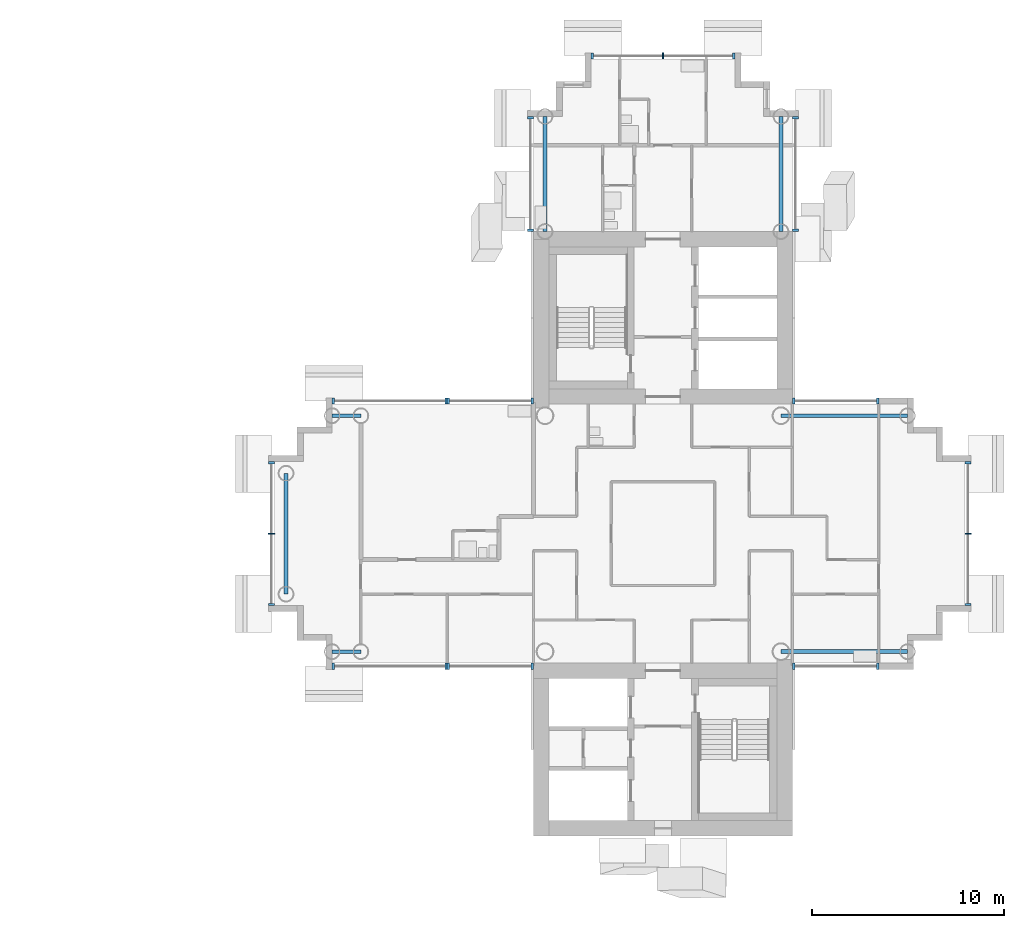
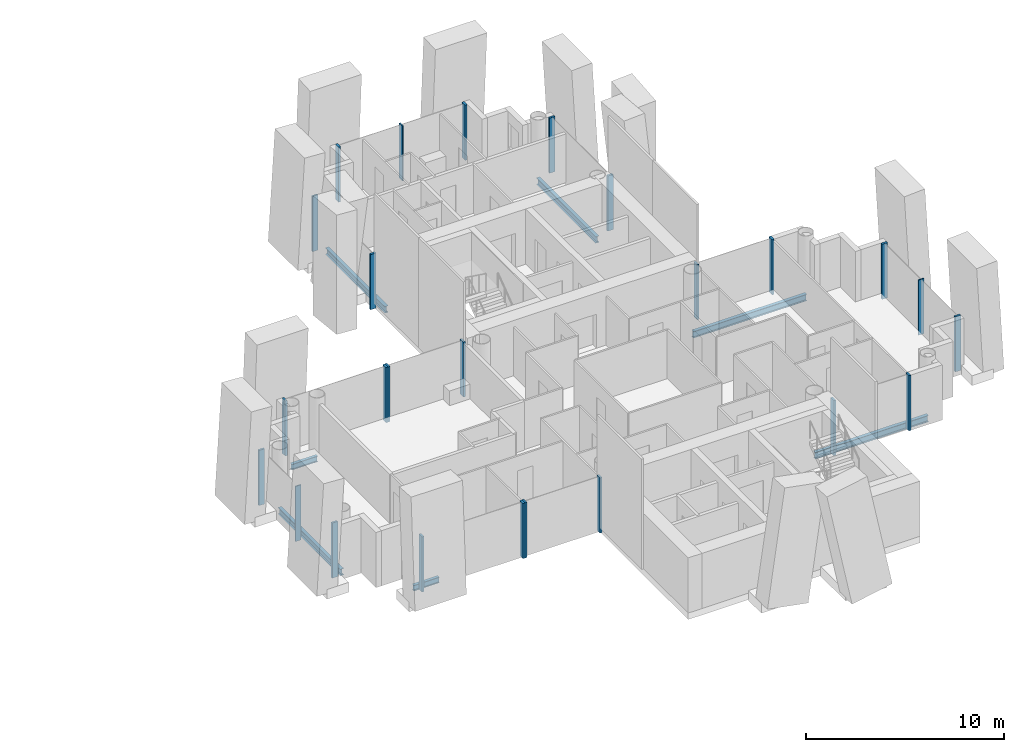
# One storey, part 4 of 18: 25 members, 7 beams, 11 elements without a shape of their own.
"""IFC4 building model written with IfcOpenShell, lengths in metres."""

from ifc_helpers import new_model, si_unit, direction, frame, origin, origin_2d, place, context, subcontext, project, spatial, rectangle, i_section, extrude, material, layer, layer_set, material_profile, profile_set, type_object, element, aggregate, save


model = new_model("IFC4")

# Units and contexts
model_context = context("Model", 3, precision=1e-05, world=origin(), true_north=direction((0.0, 1.0)))
body_context = subcontext(model_context, "Body", "Model", "MODEL_VIEW")
ifc_project = project(units=[si_unit("LENGTHUNIT", "METRE"), si_unit("AREAUNIT", "SQUARE_METRE"), si_unit("VOLUMEUNIT", "CUBIC_METRE"), si_unit("PLANEANGLEUNIT", "RADIAN"), si_unit("MASSUNIT", "GRAM", prefix="KILO")], contexts=[model_context])

# Site, building, storey
site_placement = place(None, origin())
site = spatial("IfcSite", under=ifc_project, at=site_placement, CompositionType="ELEMENT")
building_placement = place(site_placement, origin())
building = spatial("IfcBuilding", under=site, at=building_placement, Name="Ipe Terrace Towers", CompositionType="ELEMENT")
storey_placement = place(building_placement, frame((0.0, 0.0, 143.89990234375)))
storey = spatial("IfcBuildingStorey", under=building, at=storey_placement, Name="L39", CompositionType="ELEMENT", Elevation=143.89990234375)

# Beams
ifc_material_1 = material(Name="Steel S355", Category="steel")
ifc_material_profile_1 = material_profile(ifc_material_1, i_section(OverallWidth=0.175048828125, OverallDepth=0.35009765625, WebThickness=0.007080078125, FlangeThickness=0.010986328125, at=origin_2d()), Name="H-350x175x7x11")
ifc_profile_set_1 = profile_set([ifc_material_profile_1], Name="Steel S355")
beam_type_1 = type_object("IfcBeamType", Name="H04 EDGE BEAM H-350x175x7x11", PredefinedType="BEAM", material=ifc_profile_set_1)
for number, where, z_axis, x_axis, name in (
    (1, (20.25, 6.14990234375, -0.574951171875), (-1.0, 0.0, 0.0), (0.0, -1.0, 0.0), "Edge beam T2-EB-B03-B05"),
    (2, (20.25, -6.14990234375, -0.574951171875), (-1.0, 0.0, 0.0), (0.0, -1.0, 0.0), "Edge beam T2-EB-B04-B06"),
):
    element("IfcBeam", number, at=place(storey_placement, frame(where, z_axis=z_axis, x_axis=x_axis)), inside=storey, type_object=beam_type_1, Name=name, PredefinedType="BEAM", context=body_context, shape_type="SweptSolid", body=[
        extrude(i_section(OverallWidth=0.175048828125, OverallDepth=0.35009765625, WebThickness=0.007080078125, FlangeThickness=0.010986328125, at=origin_2d()), origin(), (0.0, 0.0, 1.0), 1.5),
    ])
ifc_material_2 = material(Name="Steel S355", Category="steel")
ifc_material_profile_2 = material_profile(ifc_material_2, i_section(OverallWidth=0.199951171875, OverallDepth=0.39990234375, WebThickness=0.008056640625, FlangeThickness=0.012939453125, at=origin_2d()), Name="H-400x200x8x13")
ifc_profile_set_2 = profile_set([ifc_material_profile_2], Name="Steel S355")
beam_type_2 = type_object("IfcBeamType", Name="H06 EDGE BEAM H-400x200x8x13", PredefinedType="BEAM", material=ifc_profile_set_2)
for number, where, z_axis, x_axis, name in (
    (3, (42.14990234375, 15.75, -0.599853515625), (0.0, 1.0, 0.0), (-1.0, 0.0, 0.0), "Edge beam T2-EB-A01-A03"),
    (4, (29.85009765625, 15.75, -0.599853515625), (0.0, 1.0, 0.0), (-1.0, 0.0, 0.0), "Edge beam T2-EB-A02-A04"),
):
    element("IfcBeam", number, at=place(storey_placement, frame(where, z_axis=z_axis, x_axis=x_axis)), inside=storey, type_object=beam_type_2, Name=name, PredefinedType="BEAM", context=body_context, shape_type="SweptSolid", body=[
        extrude(i_section(OverallWidth=0.199951171875, OverallDepth=0.39990234375, WebThickness=0.008056640625, FlangeThickness=0.012939453125, at=origin_2d()), origin(), (0.0, 0.0, 1.0), 6.0),
    ])
beam_placement = place(storey_placement, frame((16.35009765625, 3.14990234375, -0.599853515625), z_axis=(0.0, -1.0, 0.0), x_axis=(1.0, 0.0, 0.0)))
element("IfcBeam", 5, at=beam_placement, inside=storey, type_object=beam_type_2, Name="Edge beam T2-EB-B07-B08", PredefinedType="BEAM", context=body_context, shape_type="SweptSolid", body=[
    extrude(i_section(OverallWidth=0.199951171875, OverallDepth=0.39990234375, WebThickness=0.008056640625, FlangeThickness=0.012939453125, at=origin_2d()), origin(), (0.0, 0.0, 1.0), 6.2998046875),
])
for number, where, z_axis, x_axis, name in (
    (6, (48.75, -6.14990234375, -0.599853515625), (-1.0, 0.0, 0.0), (0.0, -1.0, 0.0), "Edge beam T2-EB-D01-E01"),
    (7, (48.75, 6.14990234375, -0.599853515625), (-1.0, 0.0, 0.0), (0.0, -1.0, 0.0), "Edge beam T2-EB-D02-E02"),
):
    element("IfcBeam", number, at=place(storey_placement, frame(where, z_axis=z_axis, x_axis=x_axis)), inside=storey, type_object=beam_type_2, Name=name, PredefinedType="BEAM", context=body_context, shape_type="SweptSolid", body=[
        extrude(i_section(OverallWidth=0.199951171875, OverallDepth=0.39990234375, WebThickness=0.008056640625, FlangeThickness=0.012939453125, at=origin_2d()), origin(), (0.0, 0.0, 1.0), 6.60009765625),
    ])

# Curtain wall, members
ifc_material_3 = material(Name="Aluminium alloy 6063-T6", Category="aluminium")
ifc_layer = layer(ifc_material_3, 0.320068359375)
ifc_layer_set = layer_set([ifc_layer], Name="TOWER UNITISED CURTAIN WALL")
curtain_wall_type = type_object("IfcCurtainWallType", Name="TOWER UNITISED CURTAIN WALL", PredefinedType="NOTDEFINED", material=ifc_layer_set)
curtain_wall_1_placement = place(storey_placement, origin())
curtain_wall_1 = element("IfcCurtainWall", 8, at=curtain_wall_1_placement, inside=storey, type_object=curtain_wall_type, Name="T2-CW-L39-02a curtain wall", PredefinedType="NOTDEFINED")
ifc_material_4 = material(Name="Aluminium alloy 6063-T6", Category="aluminium")
ifc_material_profile_3 = material_profile(ifc_material_4, rectangle(XDim=0.320068359375, YDim=0.1201171875, at=origin_2d()), Name="TOWER UNITISED CORNER MULLION 320 x 120")
ifc_profile_set_3 = profile_set([ifc_material_profile_3], Name="Aluminium alloy 6063-T6")
member_type_1 = type_object("IfcMemberType", Name="TOWER UNITISED CORNER MULLION 320 x 120", PredefinedType="MULLION", material=ifc_profile_set_3)
member_1_placement = place(storey_placement, frame((42.81005859375, -6.909912109375, -0.2998046875), z_axis=(0.0, 0.0, 1.0), x_axis=(0.0, -1.0, 0.0)))
member_1 = element("IfcMember", 9, at=member_1_placement, type_object=member_type_1, Name="T2-CW-L39-02a mullion 1", PredefinedType="MULLION", context=body_context, shape_type="SweptSolid", body=[
    extrude(rectangle(XDim=0.320068359375, YDim=0.1201171875, at=origin_2d()), origin(), (0.0, 0.0, 1.0), 3.39990234375),
])
member_2_placement = place(storey_placement, frame((47.18994140625, -6.909912109375, -0.2998046875), z_axis=(0.0, 0.0, 1.0), x_axis=(0.0, -1.0, 0.0)))
member_2 = element("IfcMember", 10, at=member_2_placement, type_object=member_type_1, Name="T2-CW-L39-02a mullion 2", PredefinedType="MULLION", context=body_context, shape_type="SweptSolid", body=[
    extrude(rectangle(XDim=0.320068359375, YDim=0.1201171875, at=origin_2d()), origin(), (0.0, 0.0, 1.0), 3.39990234375),
])
aggregate(curtain_wall_1, [member_1, member_2])

curtain_wall_2_placement = place(storey_placement, origin())
curtain_wall_2 = element("IfcCurtainWall", 11, at=curtain_wall_2_placement, inside=storey, type_object=curtain_wall_type, Name="T2-CW-L39-08a curtain wall", PredefinedType="NOTDEFINED")
member_3_placement = place(storey_placement, frame((51.909912109375, -3.68994140625, -0.2998046875), z_axis=(0.0, 0.0, 1.0), x_axis=(1.0, 0.0, 0.0)))
member_3 = element("IfcMember", 12, at=member_3_placement, type_object=member_type_1, Name="T2-CW-L39-08a mullion 1", PredefinedType="MULLION", context=body_context, shape_type="SweptSolid", body=[
    extrude(rectangle(XDim=0.320068359375, YDim=0.1201171875, at=origin_2d()), origin(), (0.0, 0.0, 1.0), 3.39990234375),
])
member_4_placement = place(storey_placement, frame((51.909912109375, 3.68994140625, -0.2998046875), z_axis=(0.0, 0.0, 1.0), x_axis=(1.0, 0.0, 0.0)))
member_4 = element("IfcMember", 13, at=member_4_placement, type_object=member_type_1, Name="T2-CW-L39-08a mullion 3", PredefinedType="MULLION", context=body_context, shape_type="SweptSolid", body=[
    extrude(rectangle(XDim=0.320068359375, YDim=0.1201171875, at=origin_2d()), origin(), (0.0, 0.0, 1.0), 3.39990234375),
])

curtain_wall_3_placement = place(storey_placement, origin())
curtain_wall_3 = element("IfcCurtainWall", 14, at=curtain_wall_3_placement, inside=storey, type_object=curtain_wall_type, Name="T2-CW-L39-14a curtain wall", PredefinedType="NOTDEFINED")
member_5_placement = place(storey_placement, frame((47.18994140625, 6.909912109375, -0.2998046875), z_axis=(0.0, 0.0, 1.0), x_axis=(0.0, 1.0, 0.0)))
member_5 = element("IfcMember", 15, at=member_5_placement, type_object=member_type_1, Name="T2-CW-L39-14a mullion 1", PredefinedType="MULLION", context=body_context, shape_type="SweptSolid", body=[
    extrude(rectangle(XDim=0.320068359375, YDim=0.1201171875, at=origin_2d()), origin(), (0.0, 0.0, 1.0), 3.39990234375),
])
member_6_placement = place(storey_placement, frame((42.81005859375, 6.909912109375, -0.2998046875), z_axis=(0.0, 0.0, 1.0), x_axis=(0.0, 1.0, 0.0)))
member_6 = element("IfcMember", 16, at=member_6_placement, type_object=member_type_1, Name="T2-CW-L39-14a mullion 2", PredefinedType="MULLION", context=body_context, shape_type="SweptSolid", body=[
    extrude(rectangle(XDim=0.320068359375, YDim=0.1201171875, at=origin_2d()), origin(), (0.0, 0.0, 1.0), 3.39990234375),
])
aggregate(curtain_wall_3, [member_5, member_6])

curtain_wall_4_placement = place(storey_placement, origin())
curtain_wall_4 = element("IfcCurtainWall", 17, at=curtain_wall_4_placement, inside=storey, type_object=curtain_wall_type, Name="T2-CW-L39-16b curtain wall", PredefinedType="NOTDEFINED")
member_7_placement = place(storey_placement, frame((42.909912109375, 15.81103515625, -0.2998046875), z_axis=(0.0, 0.0, 1.0), x_axis=(1.0, 0.0, 0.0)))
member_7 = element("IfcMember", 18, at=member_7_placement, type_object=member_type_1, Name="T2-CW-L39-16b mullion 1", PredefinedType="MULLION", context=body_context, shape_type="SweptSolid", body=[
    extrude(rectangle(XDim=0.320068359375, YDim=0.1201171875, at=origin_2d()), origin(), (0.0, 0.0, 1.0), 3.39990234375),
])
member_8_placement = place(storey_placement, frame((42.909912109375, 21.68994140625, -0.2998046875), z_axis=(0.0, 0.0, 1.0), x_axis=(1.0, 0.0, 0.0)))
member_8 = element("IfcMember", 19, at=member_8_placement, type_object=member_type_1, Name="T2-CW-L39-16b mullion 2", PredefinedType="MULLION", context=body_context, shape_type="SweptSolid", body=[
    extrude(rectangle(XDim=0.320068359375, YDim=0.1201171875, at=origin_2d()), origin(), (0.0, 0.0, 1.0), 3.39990234375),
])
aggregate(curtain_wall_4, [member_7, member_8])

curtain_wall_5_placement = place(storey_placement, origin())
curtain_wall_5 = element("IfcCurtainWall", 20, at=curtain_wall_5_placement, inside=storey, type_object=curtain_wall_type, Name="T2-CW-L39-21a curtain wall", PredefinedType="NOTDEFINED")
member_9_placement = place(storey_placement, frame((39.68994140625, 24.909912109375, -0.2998046875), z_axis=(0.0, 0.0, 1.0), x_axis=(0.0, 1.0, 0.0)))
member_9 = element("IfcMember", 21, at=member_9_placement, type_object=member_type_1, Name="T2-CW-L39-21a mullion 1", PredefinedType="MULLION", context=body_context, shape_type="SweptSolid", body=[
    extrude(rectangle(XDim=0.320068359375, YDim=0.1201171875, at=origin_2d()), origin(), (0.0, 0.0, 1.0), 3.39990234375),
])
member_10_placement = place(storey_placement, frame((32.31005859375, 24.909912109375, -0.2998046875), z_axis=(0.0, 0.0, 1.0), x_axis=(0.0, 1.0, 0.0)))
member_10 = element("IfcMember", 22, at=member_10_placement, type_object=member_type_1, Name="T2-CW-L39-21a mullion 3", PredefinedType="MULLION", context=body_context, shape_type="SweptSolid", body=[
    extrude(rectangle(XDim=0.320068359375, YDim=0.1201171875, at=origin_2d()), origin(), (0.0, 0.0, 1.0), 3.39990234375),
])

curtain_wall_6_placement = place(storey_placement, origin())
curtain_wall_6 = element("IfcCurtainWall", 23, at=curtain_wall_6_placement, inside=storey, type_object=curtain_wall_type, Name="T2-CW-L39-26a curtain wall", PredefinedType="NOTDEFINED")
member_11_placement = place(storey_placement, frame((29.090087890625, 21.68994140625, -0.2998046875), z_axis=(0.0, 0.0, 1.0), x_axis=(-1.0, 0.0, 0.0)))
member_11 = element("IfcMember", 24, at=member_11_placement, type_object=member_type_1, Name="T2-CW-L39-26a mullion 1", PredefinedType="MULLION", context=body_context, shape_type="SweptSolid", body=[
    extrude(rectangle(XDim=0.320068359375, YDim=0.1201171875, at=origin_2d()), origin(), (0.0, 0.0, 1.0), 3.39990234375),
])
member_12_placement = place(storey_placement, frame((29.090087890625, 15.81103515625, -0.2998046875), z_axis=(0.0, 0.0, 1.0), x_axis=(-1.0, 0.0, 0.0)))
member_12 = element("IfcMember", 25, at=member_12_placement, type_object=member_type_1, Name="T2-CW-L39-26a mullion 2", PredefinedType="MULLION", context=body_context, shape_type="SweptSolid", body=[
    extrude(rectangle(XDim=0.320068359375, YDim=0.1201171875, at=origin_2d()), origin(), (0.0, 0.0, 1.0), 3.39990234375),
])
aggregate(curtain_wall_6, [member_11, member_12])

curtain_wall_7_placement = place(storey_placement, origin())
curtain_wall_7 = element("IfcCurtainWall", 26, at=curtain_wall_7_placement, inside=storey, type_object=curtain_wall_type, Name="T2-CW-L39-28a curtain wall", PredefinedType="NOTDEFINED")
member_13_placement = place(storey_placement, frame((29.18994140625, 6.909912109375, -0.2998046875), z_axis=(0.0, 0.0, 1.0), x_axis=(0.0, 1.0, 0.0)))
member_13 = element("IfcMember", 27, at=member_13_placement, type_object=member_type_1, Name="T2-CW-L39-28a mullion 1", PredefinedType="MULLION", context=body_context, shape_type="SweptSolid", body=[
    extrude(rectangle(XDim=0.320068359375, YDim=0.1201171875, at=origin_2d()), origin(), (0.0, 0.0, 1.0), 3.39990234375),
])
member_14_placement = place(storey_placement, frame((24.81005859375, 6.909912109375, -0.2998046875), z_axis=(0.0, 0.0, 1.0), x_axis=(0.0, 1.0, 0.0)))
member_14 = element("IfcMember", 28, at=member_14_placement, type_object=member_type_1, Name="T2-CW-L39-28a mullion 2", PredefinedType="MULLION", context=body_context, shape_type="SweptSolid", body=[
    extrude(rectangle(XDim=0.320068359375, YDim=0.1201171875, at=origin_2d()), origin(), (0.0, 0.0, 1.0), 3.39990234375),
])
aggregate(curtain_wall_7, [member_13, member_14])

curtain_wall_8_placement = place(storey_placement, origin())
curtain_wall_8 = element("IfcCurtainWall", 29, at=curtain_wall_8_placement, inside=storey, type_object=curtain_wall_type, Name="T2-CW-L39-29a curtain wall", PredefinedType="NOTDEFINED")
member_15_placement = place(storey_placement, frame((24.68994140625, 6.909912109375, -0.2998046875), z_axis=(0.0, 0.0, 1.0), x_axis=(0.0, 1.0, 0.0)))
member_15 = element("IfcMember", 30, at=member_15_placement, type_object=member_type_1, Name="T2-CW-L39-29a mullion 1", PredefinedType="MULLION", context=body_context, shape_type="SweptSolid", body=[
    extrude(rectangle(XDim=0.320068359375, YDim=0.1201171875, at=origin_2d()), origin(), (0.0, 0.0, 1.0), 3.39990234375),
])
member_16_placement = place(storey_placement, frame((18.81005859375, 6.909912109375, -0.2998046875), z_axis=(0.0, 0.0, 1.0), x_axis=(0.0, 1.0, 0.0)))
member_16 = element("IfcMember", 31, at=member_16_placement, type_object=member_type_1, Name="T2-CW-L39-29a mullion 2", PredefinedType="MULLION", context=body_context, shape_type="SweptSolid", body=[
    extrude(rectangle(XDim=0.320068359375, YDim=0.1201171875, at=origin_2d()), origin(), (0.0, 0.0, 1.0), 3.39990234375),
])
aggregate(curtain_wall_8, [member_15, member_16])

curtain_wall_9_placement = place(storey_placement, origin())
curtain_wall_9 = element("IfcCurtainWall", 32, at=curtain_wall_9_placement, inside=storey, type_object=curtain_wall_type, Name="T2-CW-L39-34a curtain wall", PredefinedType="NOTDEFINED")
member_17_placement = place(storey_placement, frame((15.590087890625, 3.68994140625, -0.2998046875), z_axis=(0.0, 0.0, 1.0), x_axis=(-1.0, 0.0, 0.0)))
member_17 = element("IfcMember", 33, at=member_17_placement, type_object=member_type_1, Name="T2-CW-L39-34a mullion 1", PredefinedType="MULLION", context=body_context, shape_type="SweptSolid", body=[
    extrude(rectangle(XDim=0.320068359375, YDim=0.1201171875, at=origin_2d()), origin(), (0.0, 0.0, 1.0), 3.39990234375),
])
member_18_placement = place(storey_placement, frame((15.590087890625, -3.68994140625, -0.2998046875), z_axis=(0.0, 0.0, 1.0), x_axis=(-1.0, 0.0, 0.0)))
member_18 = element("IfcMember", 34, at=member_18_placement, type_object=member_type_1, Name="T2-CW-L39-34a mullion 3", PredefinedType="MULLION", context=body_context, shape_type="SweptSolid", body=[
    extrude(rectangle(XDim=0.320068359375, YDim=0.1201171875, at=origin_2d()), origin(), (0.0, 0.0, 1.0), 3.39990234375),
])

curtain_wall_10_placement = place(storey_placement, origin())
curtain_wall_10 = element("IfcCurtainWall", 35, at=curtain_wall_10_placement, inside=storey, type_object=curtain_wall_type, Name="T2-CW-L39-39a curtain wall", PredefinedType="NOTDEFINED")
member_19_placement = place(storey_placement, frame((18.81005859375, -6.909912109375, -0.2998046875), z_axis=(0.0, 0.0, 1.0), x_axis=(0.0, -1.0, 0.0)))
member_19 = element("IfcMember", 36, at=member_19_placement, type_object=member_type_1, Name="T2-CW-L39-39a mullion 1", PredefinedType="MULLION", context=body_context, shape_type="SweptSolid", body=[
    extrude(rectangle(XDim=0.320068359375, YDim=0.1201171875, at=origin_2d()), origin(), (0.0, 0.0, 1.0), 3.39990234375),
])
member_20_placement = place(storey_placement, frame((24.68994140625, -6.909912109375, -0.2998046875), z_axis=(0.0, 0.0, 1.0), x_axis=(0.0, -1.0, 0.0)))
member_20 = element("IfcMember", 37, at=member_20_placement, type_object=member_type_1, Name="T2-CW-L39-39a mullion 2", PredefinedType="MULLION", context=body_context, shape_type="SweptSolid", body=[
    extrude(rectangle(XDim=0.320068359375, YDim=0.1201171875, at=origin_2d()), origin(), (0.0, 0.0, 1.0), 3.39990234375),
])
aggregate(curtain_wall_10, [member_19, member_20])

curtain_wall_11_placement = place(storey_placement, origin())
curtain_wall_11 = element("IfcCurtainWall", 38, at=curtain_wall_11_placement, inside=storey, type_object=curtain_wall_type, Name="T2-CW-L39-40a curtain wall", PredefinedType="NOTDEFINED")
member_21_placement = place(storey_placement, frame((24.81005859375, -6.909912109375, -0.2998046875), z_axis=(0.0, 0.0, 1.0), x_axis=(0.0, -1.0, 0.0)))
member_21 = element("IfcMember", 39, at=member_21_placement, type_object=member_type_1, Name="T2-CW-L39-40a mullion 1", PredefinedType="MULLION", context=body_context, shape_type="SweptSolid", body=[
    extrude(rectangle(XDim=0.320068359375, YDim=0.1201171875, at=origin_2d()), origin(), (0.0, 0.0, 1.0), 3.39990234375),
])
member_22_placement = place(storey_placement, frame((29.18994140625, -6.909912109375, -0.2998046875), z_axis=(0.0, 0.0, 1.0), x_axis=(0.0, -1.0, 0.0)))
member_22 = element("IfcMember", 40, at=member_22_placement, type_object=member_type_1, Name="T2-CW-L39-40a mullion 2", PredefinedType="MULLION", context=body_context, shape_type="SweptSolid", body=[
    extrude(rectangle(XDim=0.320068359375, YDim=0.1201171875, at=origin_2d()), origin(), (0.0, 0.0, 1.0), 3.39990234375),
])
aggregate(curtain_wall_11, [member_21, member_22])

# Member
ifc_material_5 = material(Name="Aluminium alloy 6063-T6", Category="aluminium")
ifc_material_profile_4 = material_profile(ifc_material_5, rectangle(XDim=0.320068359375, YDim=0.06494140625, at=origin_2d()), Name="TOWER UNITISED MULLION 320 x 65")
ifc_profile_set_4 = profile_set([ifc_material_profile_4], Name="Aluminium alloy 6063-T6")
member_type_2 = type_object("IfcMemberType", Name="TOWER UNITISED MULLION 320 x 65", PredefinedType="MULLION", material=ifc_profile_set_4)
member_23_placement = place(storey_placement, frame((51.909912109375, 0.0, -0.2998046875), z_axis=(0.0, 0.0, 1.0), x_axis=(1.0, 0.0, 0.0)))
member_23 = element("IfcMember", 41, at=member_23_placement, type_object=member_type_2, Name="T2-CW-L39-08a mullion 2", PredefinedType="MULLION", context=body_context, shape_type="SweptSolid", body=[
    extrude(rectangle(XDim=0.320068359375, YDim=0.06494140625, at=origin_2d()), origin(), (0.0, 0.0, 1.0), 3.39990234375),
])

aggregate(curtain_wall_2, [member_3, member_23, member_4])

member_24_placement = place(storey_placement, frame((36.0, 24.909912109375, -0.2998046875), z_axis=(0.0, 0.0, 1.0), x_axis=(0.0, 1.0, 0.0)))
member_24 = element("IfcMember", 42, at=member_24_placement, type_object=member_type_2, Name="T2-CW-L39-21a mullion 2", PredefinedType="MULLION", context=body_context, shape_type="SweptSolid", body=[
    extrude(rectangle(XDim=0.320068359375, YDim=0.06494140625, at=origin_2d()), origin(), (0.0, 0.0, 1.0), 3.39990234375),
])

aggregate(curtain_wall_5, [member_9, member_24, member_10])

member_25_placement = place(storey_placement, frame((15.590087890625, 0.0, -0.2998046875), z_axis=(0.0, 0.0, 1.0), x_axis=(-1.0, 0.0, 0.0)))
member_25 = element("IfcMember", 43, at=member_25_placement, type_object=member_type_2, Name="T2-CW-L39-34a mullion 2", PredefinedType="MULLION", context=body_context, shape_type="SweptSolid", body=[
    extrude(rectangle(XDim=0.320068359375, YDim=0.06494140625, at=origin_2d()), origin(), (0.0, 0.0, 1.0), 3.39990234375),
])

aggregate(curtain_wall_9, [member_17, member_25, member_18])

save(model, "model.ifc")
